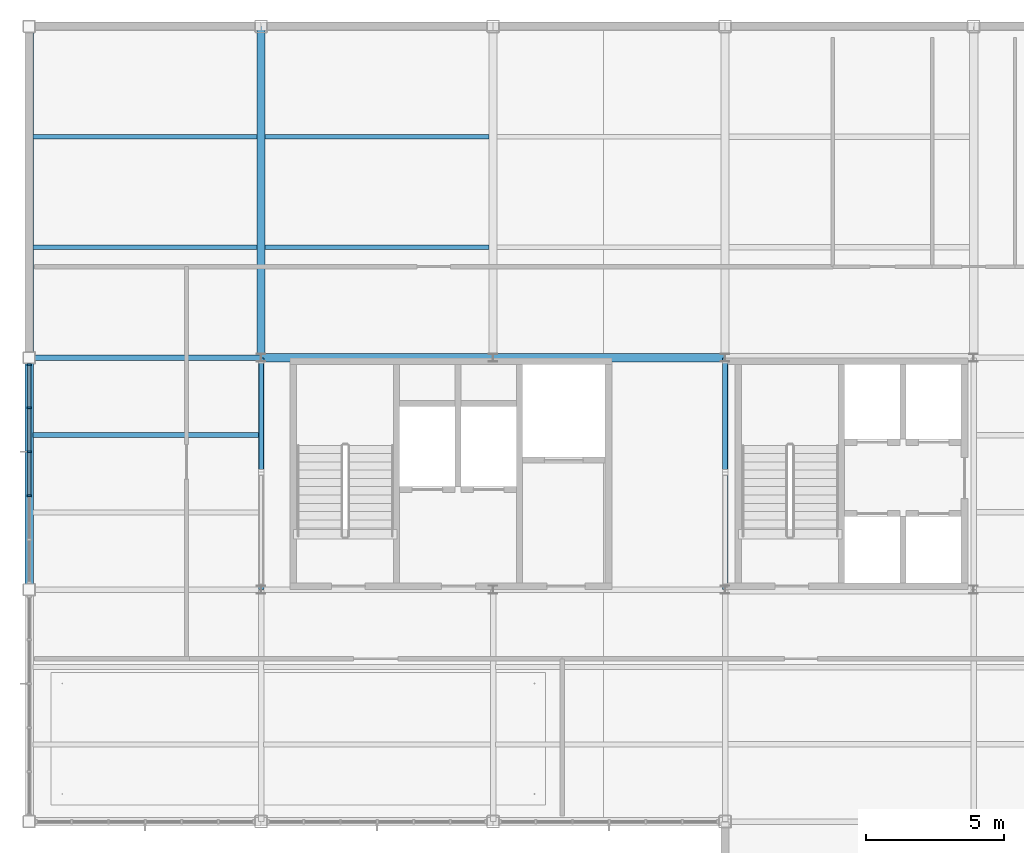
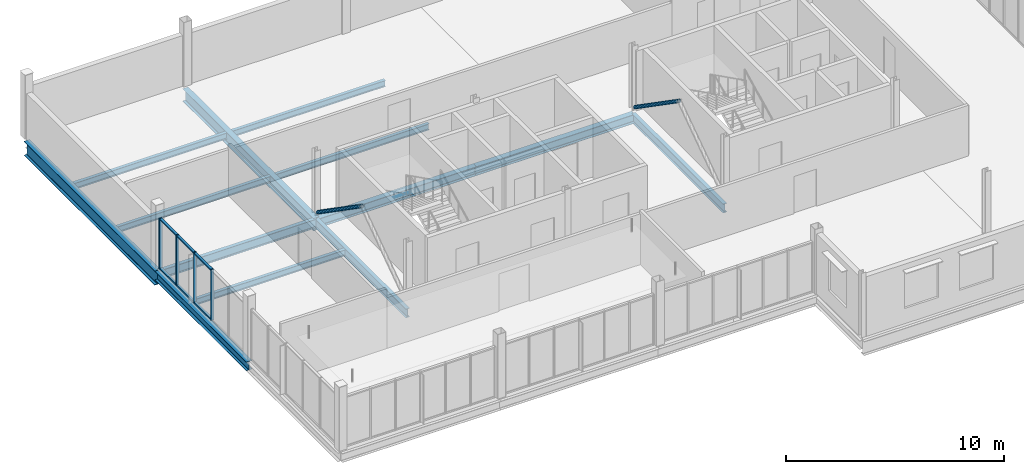
# One storey, part 6 of 19: 13 beams, 12 members, 1 element without a shape of its own.
"""IFC4 building model written with IfcOpenShell, lengths in metres."""

import ifcopenshell
import ifcopenshell.guid

model = None  # the IFC model being written
_history = None  # IfcOwnerHistory: only IFC2X3 demands one
_inside = {}  # id of a spatial element -> (the spatial element, [elements in it])
_under = {}  # id of a project, library or spatial element -> (it, [spatial elements below it])
_declared = {}  # id of a project -> (the project, [libraries it declares])
_typed = {}  # id of a type object -> (the type object, [elements of that type])
_made_of = {}  # id of a material, layer set ... -> (it, [elements and type objects made of it])


def new_model(schema):
    """Start an empty IFC model of exactly this schema.

    Asked for "IFC4X3", IfcOpenShell would pick the latest addendum, in which some entities
    have other attributes; the version numbers below select the first issue.
    IFC2X3 requires an IfcOwnerHistory on every rooted entity: one is made here for all.
    """
    global model, _history
    if schema == "IFC4X3":
        model = ifcopenshell.file(schema_version=(4, 3, 0, 0))
    else:
        model = ifcopenshell.file(schema=schema)
    _inside.clear()
    _under.clear()
    _declared.clear()
    _typed.clear()
    _made_of.clear()
    _history = None
    if model.schema == "IFC2X3":
        org = make("IfcOrganization", Name="unknown")
        user = make(
            "IfcPersonAndOrganization",
            ThePerson=make("IfcPerson", FamilyName="unknown"),
            TheOrganization=org,
        )
        app = make(
            "IfcApplication",
            ApplicationDeveloper=org,
            Version="unknown",
            ApplicationFullName="unknown",
            ApplicationIdentifier="unknown",
        )
        _history = make(
            "IfcOwnerHistory",
            OwningUser=user,
            OwningApplication=app,
            ChangeAction="ADDED",
            CreationDate=0,
        )
    return model


def make(cls, **values):
    """One entity of the class cls with the attributes given. An attribute that is None is left unset."""
    return model.create_entity(
        cls, **{name: value for name, value in values.items() if value is not None}
    )


def rooted(cls, **values):
    """An entity with a GlobalId (a new one), such as an element, a storey or a relation."""
    return make(cls, GlobalId=ifcopenshell.guid.new(), OwnerHistory=_history, **values)


def si_unit(unit_type, name, prefix=None):
    """IfcSIUnit, for example si_unit("LENGTHUNIT", "METRE", prefix="MILLI")."""
    return make("IfcSIUnit", UnitType=unit_type, Prefix=prefix, Name=name)


def assignment(units):
    """IfcUnitAssignment: the units of a project."""
    return None if units is None else make("IfcUnitAssignment", Units=units)


def point(xyz):
    """IfcCartesianPoint."""
    return None if xyz is None else make("IfcCartesianPoint", Coordinates=xyz)


def direction(xyz):
    """IfcDirection."""
    return None if xyz is None else make("IfcDirection", DirectionRatios=xyz)


def frame(location, z_axis=None, x_axis=None):
    """IfcAxis2Placement3D, a coordinate frame: its origin and axes. An axis left out is left unset."""
    return make(
        "IfcAxis2Placement3D",
        Location=point(location),
        Axis=direction(z_axis),
        RefDirection=direction(x_axis),
    )


def frame_2d(location, x_axis=None):
    """IfcAxis2Placement2D, a coordinate frame in the plane: its origin and x axis."""
    return make(
        "IfcAxis2Placement2D", Location=point(location), RefDirection=direction(x_axis)
    )


def origin():
    """The frame at (0, 0, 0) with its axes left unset."""
    return frame((0.0, 0.0, 0.0))


def origin_2d():
    """The frame at (0, 0) in the plane with its x axis left unset."""
    return frame_2d((0.0, 0.0))


def place(relative_to, where):
    """IfcLocalPlacement: puts the frame where relative to a parent placement (None: the world)."""
    return make(
        "IfcLocalPlacement", PlacementRelTo=relative_to, RelativePlacement=where
    )


def context(
    kind, dimensions, precision=None, world=None, true_north=None, identifier=None
):
    """IfcGeometricRepresentationContext, for example the 3D "Model" context."""
    return make(
        "IfcGeometricRepresentationContext",
        ContextIdentifier=identifier,
        ContextType=kind,
        CoordinateSpaceDimension=dimensions,
        Precision=precision,
        WorldCoordinateSystem=world,
        TrueNorth=true_north,
    )


def subcontext(parent, identifier, kind, view, scale=None):
    """IfcGeometricRepresentationSubContext, for example "Body" below "Model"."""
    return make(
        "IfcGeometricRepresentationSubContext",
        ContextIdentifier=identifier,
        ContextType=kind,
        ParentContext=parent,
        TargetScale=scale,
        TargetView=view,
    )


def project(units=None, contexts=None):
    """IfcProject with its units and contexts."""
    return rooted(
        "IfcProject",
        Name="project",
        RepresentationContexts=contexts,
        UnitsInContext=assignment(units),
    )


def spatial(cls, under=None, at=None, **own):
    """A site, building, storey or space (cls), placed at a placement, below another one or the project."""
    s = rooted(cls, ObjectPlacement=at, **own)
    if under is not None:
        _under.setdefault(under.id(), (under, []))[1].append(s)
    return s


def profile(cls, at=None, kind="AREA", **sizes):
    """A parametric profile (cls). Its sizes go by their IFC names, for example OverallWidth=200.0."""
    return make(cls, ProfileType=kind, Position=at, **sizes)


def rectangle(**sizes):
    """IfcRectangleProfileDef."""
    return profile("IfcRectangleProfileDef", **sizes)


def hollow_circle(**sizes):
    """IfcCircleHollowProfileDef."""
    return profile("IfcCircleHollowProfileDef", **sizes)


def i_section(**sizes):
    """IfcIShapeProfileDef."""
    return profile("IfcIShapeProfileDef", **sizes)


def extrude(swept, where, along, depth):
    """IfcExtrudedAreaSolid: the profile swept, set in the frame where, extruded along a direction by depth."""
    return make(
        "IfcExtrudedAreaSolid",
        SweptArea=swept,
        Position=where,
        ExtrudedDirection=direction(along),
        Depth=depth,
    )


def shape(context_of_items, identifier, shape_type, items):
    """IfcShapeRepresentation: the items that make up one representation, for example the "Body"."""
    return make(
        "IfcShapeRepresentation",
        ContextOfItems=context_of_items,
        RepresentationIdentifier=identifier,
        RepresentationType=shape_type,
        Items=items,
    )


def material(Name=None, Category=None):
    """IfcMaterial."""
    return make("IfcMaterial", Name=Name, Category=Category)


def layer(
    of_material, thickness, ventilated=None, Name=None, Category=None, Priority=None
):
    """IfcMaterialLayer: one layer of a wall or slab, of a material (None: an air gap)."""
    return make(
        "IfcMaterialLayer",
        Material=of_material,
        LayerThickness=thickness,
        IsVentilated=ventilated,
        Name=Name,
        Category=Category,
        Priority=Priority,
    )


def layer_set(layers, Name=None):
    """IfcMaterialLayerSet."""
    return make("IfcMaterialLayerSet", MaterialLayers=layers, LayerSetName=Name)


def material_profile(
    of_material, cross_section, Name=None, Category=None, Priority=None
):
    """IfcMaterialProfile: a cross section and its material."""
    return make(
        "IfcMaterialProfile",
        Name=Name,
        Material=of_material,
        Profile=cross_section,
        Priority=Priority,
        Category=Category,
    )


def profile_set(profiles, Name=None, composite=None):
    """IfcMaterialProfileSet."""
    return make(
        "IfcMaterialProfileSet",
        Name=Name,
        MaterialProfiles=profiles,
        CompositeProfile=composite,
    )


def made_of(thing, what):
    """Note that an element or type object is made of a material, layer set ...; save() writes the relation."""
    if what is not None:
        _made_of.setdefault(what.id(), (what, []))[1].append(thing)
    return thing


def type_object(cls, material=None, **own):
    """A type object (cls), such as IfcWallType, which elements share."""
    return made_of(rooted(cls, **own), material)


def element(
    cls,
    number,
    at=None,
    inside=None,
    cuts=None,
    type_object=None,
    material=None,
    context=None,
    identifier="Body",
    shape_type=None,
    held_by="IfcProductDefinitionShape",
    body=None,
    shapes=None,
    **own,
):
    """One element of the class cls, such as IfcWall. Its Tag is "e" and its number.

    at: its placement. inside: the storey or other place that contains it. cuts: it is an
    opening in that element (IfcRelVoidsElement). A single representation is given by context,
    identifier, shape_type and body (its items); several are given by shapes. held_by: the class
    of the entity that holds the representations. save() writes the other relations.
    """
    e = rooted(cls, Tag="e%d" % number, ObjectPlacement=at, **own)
    if body is not None:
        shapes = [shape(context, identifier, shape_type, body)]
    if shapes is not None:
        e.Representation = make(held_by, Representations=shapes)
    if inside is not None:
        _inside.setdefault(inside.id(), (inside, []))[1].append(e)
    if cuts is not None:
        rooted(
            "IfcRelVoidsElement", RelatingBuildingElement=cuts, RelatedOpeningElement=e
        )
    if type_object is not None:
        _typed.setdefault(type_object.id(), (type_object, []))[1].append(e)
    return made_of(e, material)


def aggregate(whole, parts):
    """IfcRelAggregates: a whole, such as a stair, and the parts it consists of."""
    return rooted("IfcRelAggregates", RelatingObject=whole, RelatedObjects=parts)


def save(model, path):
    """Write the relations noted so far, then the file.

    IfcRelAggregates (storeys below a building ...), IfcRelContainedInSpatialStructure (elements
    in a storey), IfcRelDefinesByType, IfcRelAssociatesMaterial and IfcRelDeclares: one each for
    every whole, place, type object, material and project.
    """
    for whole, parts in _under.values():
        aggregate(whole, parts)
    for where, things in _inside.values():
        rooted(
            "IfcRelContainedInSpatialStructure",
            RelatedElements=things,
            RelatingStructure=where,
        )
    for kind, things in _typed.values():
        rooted("IfcRelDefinesByType", RelatedObjects=things, RelatingType=kind)
    for what, things in _made_of.values():
        rooted("IfcRelAssociatesMaterial", RelatedObjects=things, RelatingMaterial=what)
    for by, libraries in _declared.values():
        rooted("IfcRelDeclares", RelatingContext=by, RelatedDefinitions=libraries)
    model.write(path)


model = new_model("IFC4")

# Units and contexts
model_context = context("Model", 3, precision=1e-05, world=origin(), true_north=direction((0.0, 1.0)))
body_context = subcontext(model_context, "Body", "Model", "MODEL_VIEW")
ifc_project = project(units=[si_unit("LENGTHUNIT", "METRE"), si_unit("AREAUNIT", "SQUARE_METRE"), si_unit("VOLUMEUNIT", "CUBIC_METRE"), si_unit("PLANEANGLEUNIT", "RADIAN"), si_unit("MASSUNIT", "GRAM", prefix="KILO")], contexts=[model_context])

# Site, building, storey
site_placement = place(None, origin())
site = spatial("IfcSite", under=ifc_project, at=site_placement, CompositionType="ELEMENT")
building_placement = place(site_placement, origin())
building = spatial("IfcBuilding", under=site, at=building_placement, Name="Yukiwa Park Conservatory and Herbarium", CompositionType="ELEMENT")
storey_placement = place(building_placement, frame((0.0, 0.0, 46.800048828125)))
storey = spatial("IfcBuildingStorey", under=building, at=storey_placement, Name="L12", CompositionType="ELEMENT", Elevation=46.800048828125)

# Beams
ifc_material_1 = material(Name="Steel Q355D", Category="steel")
ifc_material_profile_1 = material_profile(ifc_material_1, i_section(OverallWidth=0.198974609375, OverallDepth=0.49609375, WebThickness=0.009033203125, FlangeThickness=0.013916015625, FilletRadius=0.02001953125, at=origin_2d()), Name="HN 496x199x9x14")
ifc_profile_set_1 = profile_set([ifc_material_profile_1], Name="Steel Q355D")
beam_type_1 = type_object("IfcBeamType", Name="BM-GRD-HN496", PredefinedType="BEAM", material=ifc_profile_set_1)
beam_1_placement = place(storey_placement, frame((124.805908203125, 103.199951171875, -0.494140625), z_axis=(1.0, 0.0, 0.0), x_axis=(0.0, 1.0, 0.0)))
element("IfcBeam", 1, at=beam_1_placement, inside=storey, type_object=beam_type_1, Name="L12 grid beam X-13", PredefinedType="BEAM", context=body_context, shape_type="SweptSolid", body=[
    extrude(i_section(OverallWidth=0.198974609375, OverallDepth=0.49609375, WebThickness=0.009033203125, FlangeThickness=0.013916015625, FilletRadius=0.02001953125, at=origin_2d()), origin(), (0.0, 0.0, 1.0), 8.38818359375),
])
ifc_material_2 = material(Name="Steel Q355D", Category="steel")
ifc_material_profile_2 = material_profile(ifc_material_2, i_section(OverallWidth=0.199951171875, OverallDepth=0.5, WebThickness=0.010009765625, FlangeThickness=0.01611328125, FilletRadius=0.02001953125, at=origin_2d()), Name="HN 500x200x10x16")
ifc_profile_set_2 = profile_set([ifc_material_profile_2], Name="Steel Q355D")
beam_type_2 = type_object("IfcBeamType", Name="BM-GRD-HN500", PredefinedType="BEAM", material=ifc_profile_set_2)
for number, where, z_axis, x_axis, name in (
    (2, (133.199951171875, 94.805908203125, -0.49609375), (0.0, 1.0, 0.0), (-1.0, 0.0, 0.0), "L12 grid girder Y-27"),
    (3, (150.0, 94.805908203125, -0.49609375), (0.0, 1.0, 0.0), (-1.0, 0.0, 0.0), "L12 grid girder Y-33"),
):
    element("IfcBeam", number, at=place(storey_placement, frame(where, z_axis=z_axis, x_axis=x_axis)), inside=storey, type_object=beam_type_2, Name=name, PredefinedType="BEAM", context=body_context, shape_type="SweptSolid", body=[
        extrude(i_section(OverallWidth=0.199951171875, OverallDepth=0.5, WebThickness=0.010009765625, FlangeThickness=0.01611328125, FilletRadius=0.02001953125, at=origin_2d()), origin(), (0.0, 0.0, 1.0), 8.38818359375),
    ])
ifc_material_3 = material(Name="Steel Q355D", Category="steel")
ifc_material_profile_3 = material_profile(ifc_material_3, i_section(OverallWidth=0.300048828125, OverallDepth=0.699951171875, WebThickness=0.012939453125, FlangeThickness=0.02392578125, FilletRadius=0.028076171875, at=origin_2d()), Name="HN 700x300x13x24")
ifc_profile_set_3 = profile_set([ifc_material_profile_3], Name="Steel Q355D")
beam_type_3 = type_object("IfcBeamType", Name="BM-GRD-HN700", PredefinedType="BEAM", material=ifc_profile_set_3)
beam_2_placement = place(storey_placement, frame((133.199951171875, 103.2060546875, -0.595947265625), z_axis=(0.0, 1.0, 0.0), x_axis=(-1.0, 0.0, 0.0)))
element("IfcBeam", 4, at=beam_2_placement, inside=storey, type_object=beam_type_3, Name="L12 grid girder Y-28", PredefinedType="BEAM", context=body_context, shape_type="SweptSolid", body=[
    extrude(i_section(OverallWidth=0.300048828125, OverallDepth=0.699951171875, WebThickness=0.012939453125, FlangeThickness=0.02392578125, FilletRadius=0.028076171875, at=origin_2d()), origin(), (0.0, 0.0, 1.0), 11.988037109375),
])
ifc_material_4 = material(Name="Steel Q355D", Category="steel")
ifc_material_profile_4 = material_profile(ifc_material_4, i_section(OverallWidth=0.174072265625, OverallDepth=0.345947265625, WebThickness=0.006103515625, FlangeThickness=0.009033203125, FilletRadius=0.013916015625, at=origin_2d()), Name="HN 346x174x6x9")
ifc_profile_set_4 = profile_set([ifc_material_profile_4], Name="Steel Q355D")
beam_type_4 = type_object("IfcBeamType", Name="BM-JST-HN346", PredefinedType="JOIST", material=ifc_profile_set_4)
beam_3_placement = place(storey_placement, frame((124.946044921875, 100.39990234375, -0.4189453125), z_axis=(1.0, 0.0, 0.0), x_axis=(0.0, 1.0, 0.0)))
element("IfcBeam", 5, at=beam_3_placement, inside=storey, type_object=beam_type_4, Name="L12 composite floor joist 4", PredefinedType="JOIST", context=body_context, shape_type="SweptSolid", body=[
    extrude(i_section(OverallWidth=0.174072265625, OverallDepth=0.345947265625, WebThickness=0.006103515625, FlangeThickness=0.009033203125, FilletRadius=0.013916015625, at=origin_2d()), origin(), (0.0, 0.0, 1.0), 8.157958984375),
])
for number, where, z_axis, x_axis, name in (
    (6, (124.946044921875, 107.199951171875, -0.4189453125), (1.0, 0.0, 0.0), (0.0, 1.0, 0.0), "L12 composite floor joist 5"),
    (7, (124.946044921875, 111.199951171875, -0.4189453125), (1.0, 0.0, 0.0), (0.0, 1.0, 0.0), "L12 composite floor joist 6"),
):
    element("IfcBeam", number, at=place(storey_placement, frame(where, z_axis=z_axis, x_axis=x_axis)), inside=storey, type_object=beam_type_4, Name=name, PredefinedType="JOIST", context=body_context, shape_type="SweptSolid", body=[
        extrude(i_section(OverallWidth=0.174072265625, OverallDepth=0.345947265625, WebThickness=0.006103515625, FlangeThickness=0.009033203125, FilletRadius=0.013916015625, at=origin_2d()), origin(), (0.0, 0.0, 1.0), 8.10791015625),
    ])
for number, where, z_axis, x_axis, name in (
    (8, (133.345947265625, 107.199951171875, -0.4189453125), (1.0, 0.0, 0.0), (0.0, 1.0, 0.0), "L12 composite floor joist 9"),
    (9, (133.345947265625, 111.199951171875, -0.4189453125), (1.0, 0.0, 0.0), (0.0, 1.0, 0.0), "L12 composite floor joist 10"),
):
    element("IfcBeam", number, at=place(storey_placement, frame(where, z_axis=z_axis, x_axis=x_axis)), inside=storey, type_object=beam_type_4, Name=name, PredefinedType="JOIST", context=body_context, shape_type="SweptSolid", body=[
        extrude(i_section(OverallWidth=0.174072265625, OverallDepth=0.345947265625, WebThickness=0.006103515625, FlangeThickness=0.009033203125, FilletRadius=0.013916015625, at=origin_2d()), origin(), (0.0, 0.0, 1.0), 8.108154296875),
    ])
ifc_material_5 = material(Name="Steel Q355D", Category="steel")
ifc_material_profile_5 = material_profile(ifc_material_5, i_section(OverallWidth=0.300048828125, OverallDepth=0.5, WebThickness=0.010986328125, FlangeThickness=0.01806640625, FilletRadius=0.02392578125, at=origin_2d()), Name="HM 500x300x11x18")
ifc_profile_set_5 = profile_set([ifc_material_profile_5], Name="Steel Q355D")
beam_type_5 = type_object("IfcBeamType", Name="BM-SPN-HN500", PredefinedType="SPANDREL", material=ifc_profile_set_5)
for number, where, z_axis, x_axis, name in (
    (10, (133.2060546875, 103.199951171875, -0.49609375), (1.0, 0.0, 0.0), (0.0, 1.0, 0.0), "L12 spandrel beam X-14"),
    (11, (141.60595703125, 103.199951171875, -0.49609375), (1.0, 0.0, 0.0), (0.0, 1.0, 0.0), "L12 spandrel beam X-15"),
):
    element("IfcBeam", number, at=place(storey_placement, frame(where, z_axis=z_axis, x_axis=x_axis)), inside=storey, type_object=beam_type_5, Name=name, PredefinedType="SPANDREL", context=body_context, shape_type="SweptSolid", body=[
        extrude(i_section(OverallWidth=0.300048828125, OverallDepth=0.5, WebThickness=0.010986328125, FlangeThickness=0.01806640625, FilletRadius=0.02392578125, at=origin_2d()), origin(), (0.0, 0.0, 1.0), 8.387939453125),
    ])
beam_4_placement = place(storey_placement, frame((124.800048828125, 94.805908203125, -0.49609375), z_axis=(0.0, 1.0, 0.0), x_axis=(-1.0, 0.0, 0.0)))
element("IfcBeam", 12, at=beam_4_placement, inside=storey, type_object=beam_type_5, Name="L12 spandrel girder Y-24", PredefinedType="SPANDREL", context=body_context, shape_type="SweptSolid", body=[
    extrude(i_section(OverallWidth=0.300048828125, OverallDepth=0.5, WebThickness=0.010986328125, FlangeThickness=0.01806640625, FilletRadius=0.02392578125, at=origin_2d()), origin(), (0.0, 0.0, 1.0), 8.38818359375),
])
ifc_material_6 = material(Name="Steel Q355D", Category="steel")
ifc_material_profile_6 = material_profile(ifc_material_6, i_section(OverallWidth=0.300048828125, OverallDepth=0.7919921875, WebThickness=0.013916015625, FlangeThickness=0.02197265625, FilletRadius=0.028076171875, at=origin_2d()), Name="HN 792x300x14x22")
ifc_profile_set_6 = profile_set([ifc_material_profile_6], Name="Steel Q355D")
beam_type_6 = type_object("IfcBeamType", Name="BM-SPN-HN600", PredefinedType="SPANDREL", material=ifc_profile_set_6)
beam_5_placement = place(storey_placement, frame((124.800048828125, 103.2060546875, -0.64208984375), z_axis=(0.0, 1.0, 0.0), x_axis=(-1.0, 0.0, 0.0)))
element("IfcBeam", 13, at=beam_5_placement, inside=storey, type_object=beam_type_6, Name="L12 spandrel girder Y-25", PredefinedType="SPANDREL", context=body_context, shape_type="SweptSolid", body=[
    extrude(i_section(OverallWidth=0.300048828125, OverallDepth=0.7919921875, WebThickness=0.013916015625, FlangeThickness=0.02197265625, FilletRadius=0.028076171875, at=origin_2d()), origin(), (0.0, 0.0, 1.0), 11.988037109375),
])

# Members
ifc_material_7 = material(Name="Steel Q355D", Category="steel")
ifc_material_profile_7 = material_profile(ifc_material_7, hollow_circle(Radius=0.096923828125, WallThickness=0.010009765625, at=origin_2d()), Name="CHS 193.7x10")
ifc_profile_set_7 = profile_set([ifc_material_profile_7], Name="Steel Q355D")
member_type_1 = type_object("IfcMemberType", Name="MB-BR-CHS194", PredefinedType="BRACE", material=ifc_profile_set_7)
for number, where, z_axis, x_axis, name in (
    (14, (133.199951171875, 103.0546875, 0.150634765625), (0.0, -0.821702072051, 0.569917278899), (1.0, 0.0, 0.0), "L12 concentric chevron brace 62"),
    (15, (150.0, 103.0546875, 0.150634765625), (0.0, -0.821702072051, 0.569917278899), (1.0, 0.0, 0.0), "L12 concentric chevron brace 64"),
):
    element("IfcMember", number, at=place(storey_placement, frame(where, z_axis=z_axis, x_axis=x_axis)), inside=storey, type_object=member_type_1, Name=name, PredefinedType="BRACE", context=body_context, shape_type="SweptSolid", body=[
        extrude(hollow_circle(Radius=0.096923828125, WallThickness=0.010009765625, at=origin_2d()), origin(), (0.0, 0.0, 1.0), 4.9345703125),
    ])

# Curtain wall, members
ifc_material_8 = material(Name="Triple Low-E Insulated Glass", Category="glass")
ifc_layer = layer(ifc_material_8, 0.260009765625)
ifc_layer_set = layer_set([ifc_layer], Name="Triple Low-E Insulated Glass")
curtain_wall_type = type_object("IfcCurtainWallType", Name="CW-TOWER-LAB-W-1500", PredefinedType="NOTDEFINED", material=ifc_layer_set)
curtain_wall_placement = place(storey_placement, origin())
curtain_wall = element("IfcCurtainWall", 16, at=curtain_wall_placement, inside=storey, type_object=curtain_wall_type, Name="L12 unitised curtain wall CW-L12-121", PredefinedType="NOTDEFINED")
ifc_material_9 = material(Name="Anodised Aluminium", Category="aluminium")
member_type_2 = type_object("IfcMemberType", Name="MB-CW-MUL-70X150", PredefinedType="MULLION", material=ifc_material_9)
member_1_placement = place(storey_placement, frame((124.800048828125, 102.93994140625, 0.0), z_axis=(0.0, 0.0, 1.0), x_axis=(0.0, -1.0, 0.0)))
member_1 = element("IfcMember", 17, at=member_1_placement, type_object=member_type_2, Name="CW-L12-121 mullion 1", PredefinedType="MULLION", context=body_context, shape_type="SweptSolid", body=[
    extrude(rectangle(XDim=0.070068359375, YDim=0.14990234375, at=origin_2d()), origin(), (0.0, 0.0, 1.0), 2.840087890625),
])
member_2_placement = place(storey_placement, frame((124.800048828125, 101.385009765625, 0.0), z_axis=(0.0, 0.0, 1.0), x_axis=(0.0, -1.0, 0.0)))
member_2 = element("IfcMember", 18, at=member_2_placement, type_object=member_type_2, Name="CW-L12-121 mullion 2", PredefinedType="MULLION", context=body_context, shape_type="SweptSolid", body=[
    extrude(rectangle(XDim=0.070068359375, YDim=0.14990234375, at=origin_2d()), origin(), (0.0, 0.0, 1.0), 2.840087890625),
])
member_3_placement = place(storey_placement, frame((124.800048828125, 99.794921875, 0.0), z_axis=(0.0, 0.0, 1.0), x_axis=(0.0, -1.0, 0.0)))
member_3 = element("IfcMember", 19, at=member_3_placement, type_object=member_type_2, Name="CW-L12-121 mullion 3", PredefinedType="MULLION", context=body_context, shape_type="SweptSolid", body=[
    extrude(rectangle(XDim=0.070068359375, YDim=0.14990234375, at=origin_2d()), origin(), (0.0, 0.0, 1.0), 2.840087890625),
])
member_4_placement = place(storey_placement, frame((124.800048828125, 98.205078125, 0.0), z_axis=(0.0, 0.0, 1.0), x_axis=(0.0, -1.0, 0.0)))
member_4 = element("IfcMember", 20, at=member_4_placement, type_object=member_type_2, Name="CW-L12-121 mullion 4", PredefinedType="MULLION", context=body_context, shape_type="SweptSolid", body=[
    extrude(rectangle(XDim=0.070068359375, YDim=0.14990234375, at=origin_2d()), origin(), (0.0, 0.0, 1.0), 2.840087890625),
])
ifc_material_10 = material(Name="Anodised Aluminium", Category="aluminium")
member_type_3 = type_object("IfcMemberType", Name="MB-CW-TRN-70X130", PredefinedType="USERDEFINED", material=ifc_material_10)
member_5_placement = place(storey_placement, frame((124.800048828125, 102.179931640625, 0.0), z_axis=(0.0, 0.0, 1.0), x_axis=(0.0, -1.0, 0.0)))
member_5 = element("IfcMember", 21, at=member_5_placement, type_object=member_type_3, Name="CW-L12-121 transom 1.1", ObjectType="TRANSOM", PredefinedType="USERDEFINED", context=body_context, shape_type="SweptSolid", body=[
    extrude(rectangle(XDim=1.52001953125, YDim=0.1298828125, at=origin_2d()), origin(), (0.0, 0.0, 1.0), 0.070068359375),
])
member_6_placement = place(storey_placement, frame((124.800048828125, 102.179931640625, 2.77001953125), z_axis=(0.0, 0.0, 1.0), x_axis=(0.0, -1.0, 0.0)))
member_6 = element("IfcMember", 22, at=member_6_placement, type_object=member_type_3, Name="CW-L12-121 transom 1.2", ObjectType="TRANSOM", PredefinedType="USERDEFINED", context=body_context, shape_type="SweptSolid", body=[
    extrude(rectangle(XDim=1.52001953125, YDim=0.1298828125, at=origin_2d()), origin(), (0.0, 0.0, 1.0), 0.070068359375),
])
member_7_placement = place(storey_placement, frame((124.800048828125, 100.590087890625, 0.0), z_axis=(0.0, 0.0, 1.0), x_axis=(0.0, -1.0, 0.0)))
member_7 = element("IfcMember", 23, at=member_7_placement, type_object=member_type_3, Name="CW-L12-121 transom 2.1", ObjectType="TRANSOM", PredefinedType="USERDEFINED", context=body_context, shape_type="SweptSolid", body=[
    extrude(rectangle(XDim=1.52001953125, YDim=0.1298828125, at=origin_2d()), origin(), (0.0, 0.0, 1.0), 0.070068359375),
])
member_8_placement = place(storey_placement, frame((124.800048828125, 100.590087890625, 2.77001953125), z_axis=(0.0, 0.0, 1.0), x_axis=(0.0, -1.0, 0.0)))
member_8 = element("IfcMember", 24, at=member_8_placement, type_object=member_type_3, Name="CW-L12-121 transom 2.2", ObjectType="TRANSOM", PredefinedType="USERDEFINED", context=body_context, shape_type="SweptSolid", body=[
    extrude(rectangle(XDim=1.52001953125, YDim=0.1298828125, at=origin_2d()), origin(), (0.0, 0.0, 1.0), 0.070068359375),
])
member_9_placement = place(storey_placement, frame((124.800048828125, 99.0, 0.0), z_axis=(0.0, 0.0, 1.0), x_axis=(0.0, -1.0, 0.0)))
member_9 = element("IfcMember", 25, at=member_9_placement, type_object=member_type_3, Name="CW-L12-121 transom 3.1", ObjectType="TRANSOM", PredefinedType="USERDEFINED", context=body_context, shape_type="SweptSolid", body=[
    extrude(rectangle(XDim=1.52001953125, YDim=0.1298828125, at=origin_2d()), origin(), (0.0, 0.0, 1.0), 0.070068359375),
])
member_10_placement = place(storey_placement, frame((124.800048828125, 99.0, 2.77001953125), z_axis=(0.0, 0.0, 1.0), x_axis=(0.0, -1.0, 0.0)))
member_10 = element("IfcMember", 26, at=member_10_placement, type_object=member_type_3, Name="CW-L12-121 transom 3.2", ObjectType="TRANSOM", PredefinedType="USERDEFINED", context=body_context, shape_type="SweptSolid", body=[
    extrude(rectangle(XDim=1.52001953125, YDim=0.1298828125, at=origin_2d()), origin(), (0.0, 0.0, 1.0), 0.070068359375),
])
aggregate(curtain_wall, [member_1, member_2, member_3, member_4, member_5, member_6, member_7, member_8, member_9, member_10])

save(model, "model.ifc")
